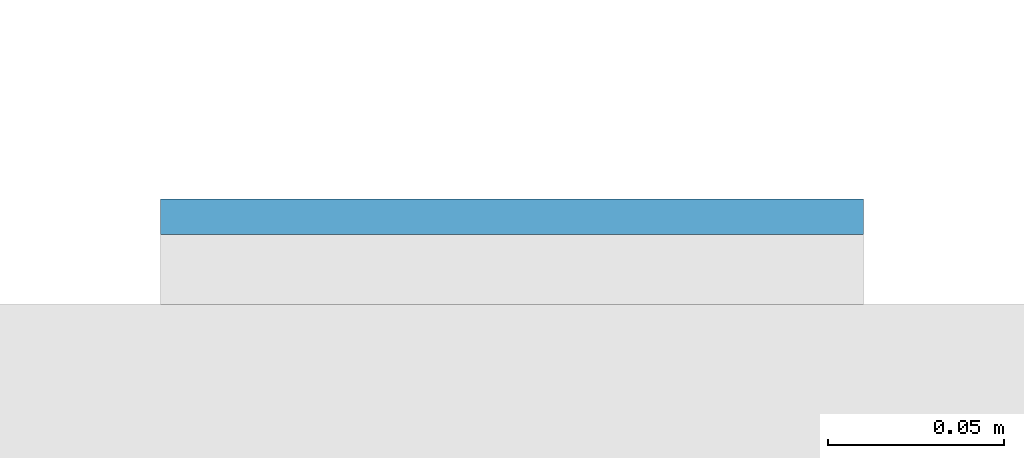
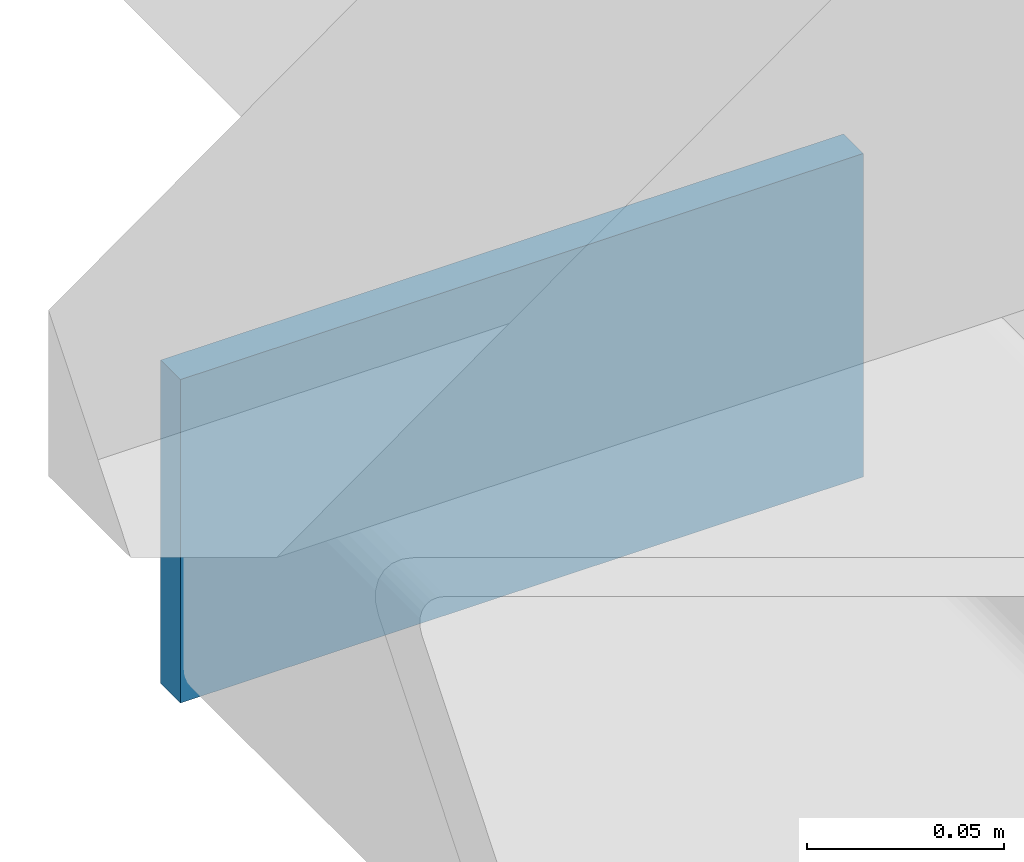
# One storey, part 9 of 20: 1 plate.
"""IFC4 building model written with IfcOpenShell, lengths in metres."""

from ifc_helpers import new_model, si_unit, direction, frame, origin, origin_2d, place, context, subcontext, project, spatial, rectangle, extrude, material, layer, layer_set, type_object, element, save


model = new_model("IFC4")

# Units and contexts
model_context = context("Model", 3, precision=1e-05, world=origin(), true_north=direction((0.0, 1.0)))
body_context = subcontext(model_context, "Body", "Model", "MODEL_VIEW")
ifc_project = project(units=[si_unit("LENGTHUNIT", "METRE"), si_unit("AREAUNIT", "SQUARE_METRE"), si_unit("VOLUMEUNIT", "CUBIC_METRE"), si_unit("PLANEANGLEUNIT", "RADIAN"), si_unit("MASSUNIT", "GRAM", prefix="KILO")], contexts=[model_context])

# Site, building, storey
site_placement = place(None, origin())
site = spatial("IfcSite", under=ifc_project, at=site_placement, CompositionType="ELEMENT")
building_placement = place(site_placement, origin())
building = spatial("IfcBuilding", under=site, at=building_placement, Name="Cleftline Residences", CompositionType="ELEMENT")
storey_placement = place(building_placement, frame((0.0, 0.0, 189.39990234375)))
storey = spatial("IfcBuildingStorey", under=building, at=storey_placement, Name="L49", CompositionType="ELEMENT", Elevation=189.39990234375)

# Plate
ifc_material = material(Name="Steel S355, hot-dip galvanised", Category="steel")
ifc_layer = layer(ifc_material, 0.010009765625)
ifc_layer_set = layer_set([ifc_layer], Name="BAGUETTE CARRIER END PLATE 200X100X10")
plate_type = type_object("IfcPlateType", Name="BAGUETTE CARRIER END PLATE 200X100X10", PredefinedType="USERDEFINED", material=ifc_layer_set)
plate_placement = place(storey_placement, frame((-0.85009765625, 44.304931640625, -0.099853515625), z_axis=(0.0, 0.0, 1.0), x_axis=(-1.0, 0.0, 0.0)))
element("IfcPlate", 1, at=plate_placement, inside=storey, type_object=plate_type, Name="Baguette carrier end plate", ObjectType="BAGUETTE CARRIER END PLATE", PredefinedType="USERDEFINED", context=body_context, shape_type="SweptSolid", body=[
    extrude(rectangle(XDim=0.199951171875, YDim=0.010009765625, at=origin_2d()), origin(), (0.0, 0.0, 1.0), 0.10009765625),
])

save(model, "model.ifc")
